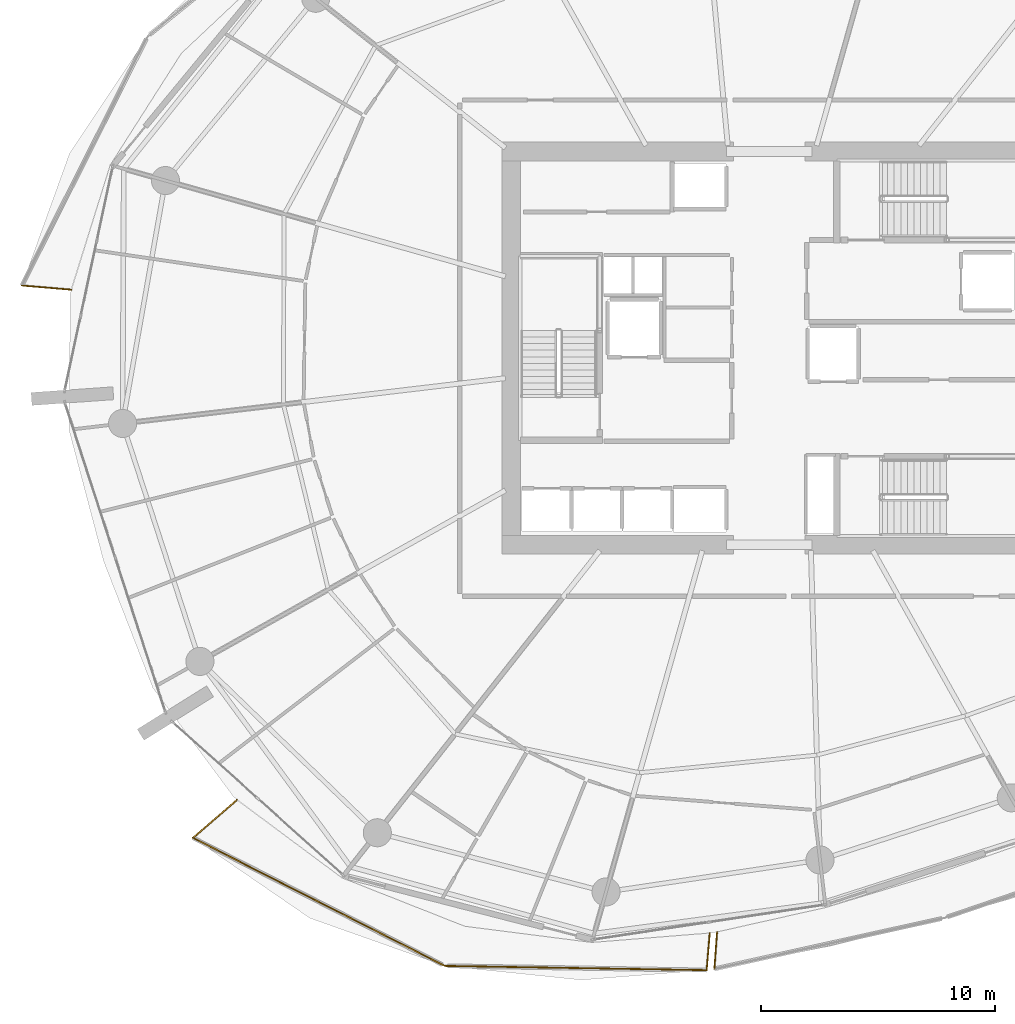
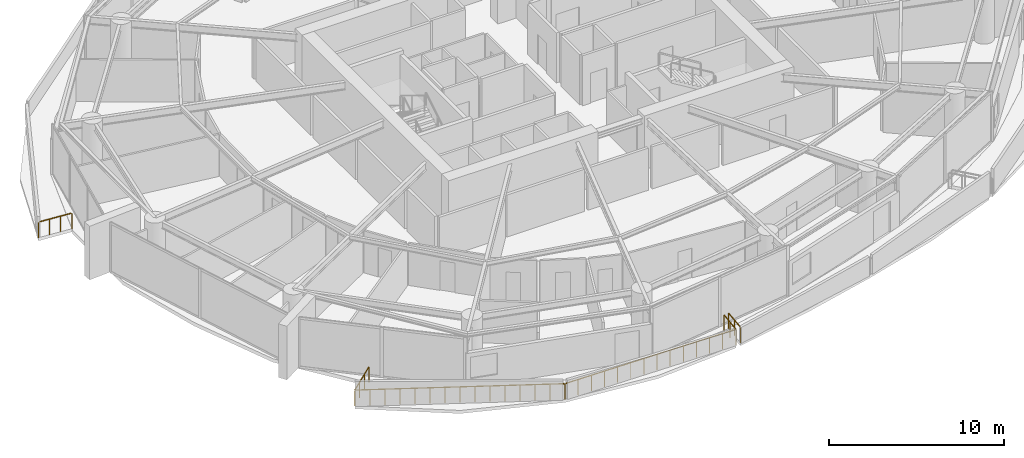
# One storey, part 16 of 22: 6 railings.
"""IFC4 building model written with IfcOpenShell, lengths in metres."""

from ifc_helpers import new_model, si_unit, direction, frame, origin, origin_2d, place, context, subcontext, project, spatial, rectangle, extrude, material, type_object, element, save


model = new_model("IFC4")

# Units and contexts
model_context = context("Model", 3, precision=1e-05, world=origin(), true_north=direction((0.0, 1.0)))
body_context = subcontext(model_context, "Body", "Model", "MODEL_VIEW")
ifc_project = project(units=[si_unit("LENGTHUNIT", "METRE"), si_unit("AREAUNIT", "SQUARE_METRE"), si_unit("VOLUMEUNIT", "CUBIC_METRE"), si_unit("PLANEANGLEUNIT", "RADIAN"), si_unit("MASSUNIT", "GRAM", prefix="KILO")], contexts=[model_context])

# Site, building, storey
site_placement = place(None, origin())
site = spatial("IfcSite", under=ifc_project, at=site_placement, CompositionType="ELEMENT")
building_placement = place(site_placement, origin())
building = spatial("IfcBuilding", under=site, at=building_placement, Name="Kazma Halo Residences", CompositionType="ELEMENT")
storey_placement = place(building_placement, frame((0.0, 0.0, 93.89990234375)))
storey = spatial("IfcBuildingStorey", under=building, at=storey_placement, Name="L23", CompositionType="ELEMENT", Elevation=93.89990234375)

# Railings
ifc_material = material(Name="Aluminium AW-6063 T6 Brushed Cap Rail", Category="aluminium")
railing_type = type_object("IfcRailingType", Name="RLG-BAL-CAP-1120", PredefinedType="BALUSTRADE", material=ifc_material)
railing_1_placement = place(storey_placement, frame((16.490234375, 44.673583984375, 0.0)))
element("IfcRailing", 1, at=railing_1_placement, inside=storey, type_object=railing_type, Name="L23 NW wave balcony guard 4", PredefinedType="BALUSTRADE", context=body_context, shape_type="SweptSolid", body=[
    extrude(rectangle(XDim=0.050048828125, YDim=0.050048828125, at=origin_2d()), frame((0.04248046875, -0.003662109375, 1.09521484375), z_axis=(0.996418565271, -0.084557925611, 0.0), x_axis=(0.084557925611, 0.996418565271, 0.0)), (0.0, 0.0, 1.0), 2.025390625),
    extrude(rectangle(XDim=0.0400390625, YDim=0.0400390625, at=origin_2d()), origin(), (0.0, 0.0, 1.0), 1.05810546875),
    extrude(rectangle(XDim=0.0400390625, YDim=0.0400390625, at=origin_2d()), frame((0.700927734375, -0.0595703125, 0.0)), (0.0, 0.0, 1.0), 1.05810546875),
    extrude(rectangle(XDim=0.0400390625, YDim=0.0400390625, at=origin_2d()), frame((1.402099609375, -0.118896484375, 0.0)), (0.0, 0.0, 1.0), 1.05810546875),
    extrude(rectangle(XDim=0.0400390625, YDim=0.0400390625, at=origin_2d()), frame((2.10302734375, -0.178466796875, 0.0)), (0.0, 0.0, 1.0), 1.05810546875),
])
railing_2_placement = place(storey_placement, frame((25.676025390625, 22.696533203125, 0.0)))
element("IfcRailing", 2, at=railing_2_placement, inside=storey, type_object=railing_type, Name="L23 SW wave balcony guard 1", PredefinedType="BALUSTRADE", context=body_context, shape_type="SweptSolid", body=[
    extrude(rectangle(XDim=0.050048828125, YDim=0.050048828125, at=origin_2d()), frame((-0.0322265625, -0.02783203125, 1.09521484375), z_axis=(-0.756422383747, -0.654083463609, 0.0), x_axis=(0.654083463609, -0.756422383747, 0.0)), (0.0, 0.0, 1.0), 2.39599609375),
    extrude(rectangle(XDim=0.0400390625, YDim=0.0400390625, at=origin_2d()), origin(), (0.0, 0.0, 1.0), 1.05810546875),
    extrude(rectangle(XDim=0.0400390625, YDim=0.0400390625, at=origin_2d()), frame((-0.62548828125, -0.541015625, 0.0)), (0.0, 0.0, 1.0), 1.05810546875),
    extrude(rectangle(XDim=0.0400390625, YDim=0.0400390625, at=origin_2d()), frame((-1.251220703125, -1.081787109375, 0.0)), (0.0, 0.0, 1.0), 1.05810546875),
    extrude(rectangle(XDim=0.0400390625, YDim=0.0400390625, at=origin_2d()), frame((-1.876708984375, -1.622802734375, 0.0)), (0.0, 0.0, 1.0), 1.05810546875),
])
railing_3_placement = place(storey_placement, frame((23.79931640625, 21.07373046875, 0.0)))
element("IfcRailing", 3, at=railing_3_placement, inside=storey, type_object=railing_type, Name="L23 SW wave balcony guard 2", PredefinedType="BALUSTRADE", context=body_context, shape_type="SweptSolid", body=[
    extrude(rectangle(XDim=0.050048828125, YDim=0.050048828125, at=origin_2d()), frame((0.037841796875, -0.019287109375, 1.09521484375), z_axis=(0.891325526743, -0.45336387745, 0.0), x_axis=(0.45336387745, 0.891325526743, 0.0)), (0.0, 0.0, 1.0), 11.9775390625),
    extrude(rectangle(XDim=0.0400390625, YDim=0.0400390625, at=origin_2d()), origin(), (0.0, 0.0, 1.0), 1.05810546875),
    extrude(rectangle(XDim=0.0400390625, YDim=0.0400390625, at=origin_2d()), frame((0.76806640625, -0.390625, 0.0)), (0.0, 0.0, 1.0), 1.05810546875),
    extrude(rectangle(XDim=0.0400390625, YDim=0.0400390625, at=origin_2d()), frame((1.535888671875, -0.78125, 0.0)), (0.0, 0.0, 1.0), 1.05810546875),
    extrude(rectangle(XDim=0.0400390625, YDim=0.0400390625, at=origin_2d()), frame((2.303955078125, -1.171875, 0.0)), (0.0, 0.0, 1.0), 1.05810546875),
    extrude(rectangle(XDim=0.0400390625, YDim=0.0400390625, at=origin_2d()), frame((3.072021484375, -1.5625, 0.0)), (0.0, 0.0, 1.0), 1.05810546875),
    extrude(rectangle(XDim=0.0400390625, YDim=0.0400390625, at=origin_2d()), frame((3.83984375, -1.953125, 0.0)), (0.0, 0.0, 1.0), 1.05810546875),
    extrude(rectangle(XDim=0.0400390625, YDim=0.0400390625, at=origin_2d()), frame((4.60791015625, -2.34375, 0.0)), (0.0, 0.0, 1.0), 1.05810546875),
    extrude(rectangle(XDim=0.0400390625, YDim=0.0400390625, at=origin_2d()), frame((5.3759765625, -2.734375, 0.0)), (0.0, 0.0, 1.0), 1.05810546875),
    extrude(rectangle(XDim=0.0400390625, YDim=0.0400390625, at=origin_2d()), frame((6.143798828125, -3.125, 0.0)), (0.0, 0.0, 1.0), 1.05810546875),
    extrude(rectangle(XDim=0.0400390625, YDim=0.0400390625, at=origin_2d()), frame((6.911865234375, -3.515625, 0.0)), (0.0, 0.0, 1.0), 1.05810546875),
    extrude(rectangle(XDim=0.0400390625, YDim=0.0400390625, at=origin_2d()), frame((7.6796875, -3.90625, 0.0)), (0.0, 0.0, 1.0), 1.05810546875),
    extrude(rectangle(XDim=0.0400390625, YDim=0.0400390625, at=origin_2d()), frame((8.44775390625, -4.296875, 0.0)), (0.0, 0.0, 1.0), 1.05810546875),
    extrude(rectangle(XDim=0.0400390625, YDim=0.0400390625, at=origin_2d()), frame((9.2158203125, -4.6875, 0.0)), (0.0, 0.0, 1.0), 1.05810546875),
    extrude(rectangle(XDim=0.0400390625, YDim=0.0400390625, at=origin_2d()), frame((9.983642578125, -5.078125, 0.0)), (0.0, 0.0, 1.0), 1.05810546875),
    extrude(rectangle(XDim=0.0400390625, YDim=0.0400390625, at=origin_2d()), frame((10.751708984375, -5.46875, 0.0)), (0.0, 0.0, 1.0), 1.05810546875),
])
railing_4_placement = place(storey_placement, frame((34.551025390625, 15.60498046875, 0.0)))
element("IfcRailing", 4, at=railing_4_placement, inside=storey, type_object=railing_type, Name="L23 SW wave balcony guard 3", PredefinedType="BALUSTRADE", context=body_context, shape_type="SweptSolid", body=[
    extrude(rectangle(XDim=0.050048828125, YDim=0.050048828125, at=origin_2d()), frame((0.04248046875, -0.000732421875, 1.09521484375), z_axis=(0.999868371043, -0.016224690688, 0.0), x_axis=(0.016224690688, 0.999868371043, 0.0)), (0.0, 0.0, 1.0), 11.1103515625),
    extrude(rectangle(XDim=0.0400390625, YDim=0.0400390625, at=origin_2d()), origin(), (0.0, 0.0, 1.0), 1.05810546875),
    extrude(rectangle(XDim=0.0400390625, YDim=0.0400390625, at=origin_2d()), frame((0.861083984375, -0.013916015625, 0.0)), (0.0, 0.0, 1.0), 1.05810546875),
    extrude(rectangle(XDim=0.0400390625, YDim=0.0400390625, at=origin_2d()), frame((1.72216796875, -0.02783203125, 0.0)), (0.0, 0.0, 1.0), 1.05810546875),
    extrude(rectangle(XDim=0.0400390625, YDim=0.0400390625, at=origin_2d()), frame((2.583251953125, -0.0419921875, 0.0)), (0.0, 0.0, 1.0), 1.05810546875),
    extrude(rectangle(XDim=0.0400390625, YDim=0.0400390625, at=origin_2d()), frame((3.4443359375, -0.055908203125, 0.0)), (0.0, 0.0, 1.0), 1.05810546875),
    extrude(rectangle(XDim=0.0400390625, YDim=0.0400390625, at=origin_2d()), frame((4.305419921875, -0.06982421875, 0.0)), (0.0, 0.0, 1.0), 1.05810546875),
    extrude(rectangle(XDim=0.0400390625, YDim=0.0400390625, at=origin_2d()), frame((5.16650390625, -0.083740234375, 0.0)), (0.0, 0.0, 1.0), 1.05810546875),
    extrude(rectangle(XDim=0.0400390625, YDim=0.0400390625, at=origin_2d()), frame((6.02734375, -0.097900390625, 0.0)), (0.0, 0.0, 1.0), 1.05810546875),
    extrude(rectangle(XDim=0.0400390625, YDim=0.0400390625, at=origin_2d()), frame((6.888427734375, -0.11181640625, 0.0)), (0.0, 0.0, 1.0), 1.05810546875),
    extrude(rectangle(XDim=0.0400390625, YDim=0.0400390625, at=origin_2d()), frame((7.74951171875, -0.125732421875, 0.0)), (0.0, 0.0, 1.0), 1.05810546875),
    extrude(rectangle(XDim=0.0400390625, YDim=0.0400390625, at=origin_2d()), frame((8.610595703125, -0.1396484375, 0.0)), (0.0, 0.0, 1.0), 1.05810546875),
    extrude(rectangle(XDim=0.0400390625, YDim=0.0400390625, at=origin_2d()), frame((9.4716796875, -0.15380859375, 0.0)), (0.0, 0.0, 1.0), 1.05810546875),
    extrude(rectangle(XDim=0.0400390625, YDim=0.0400390625, at=origin_2d()), frame((10.332763671875, -0.167724609375, 0.0)), (0.0, 0.0, 1.0), 1.05810546875),
    extrude(rectangle(XDim=0.0400390625, YDim=0.0400390625, at=origin_2d()), frame((11.19384765625, -0.181640625, 0.0)), (0.0, 0.0, 1.0), 1.05810546875),
])
railing_5_placement = place(storey_placement, frame((45.744873046875, 15.42333984375, 0.0)))
element("IfcRailing", 5, at=railing_5_placement, inside=storey, type_object=railing_type, Name="L23 SW wave balcony guard 4", PredefinedType="BALUSTRADE", context=body_context, shape_type="SweptSolid", body=[
    extrude(rectangle(XDim=0.050048828125, YDim=0.050048828125, at=origin_2d()), frame((0.003662109375, 0.04248046875, 1.09521484375), z_axis=(0.084608455239, 0.996414275943, 0.0), x_axis=(-0.996414275943, 0.084608455239, 0.0)), (0.0, 0.0, 1.0), 1.5048828125),
    extrude(rectangle(XDim=0.0400390625, YDim=0.0400390625, at=origin_2d()), origin(), (0.0, 0.0, 1.0), 1.05810546875),
    extrude(rectangle(XDim=0.0400390625, YDim=0.0400390625, at=origin_2d()), frame((0.0673828125, 0.7919921875, 0.0)), (0.0, 0.0, 1.0), 1.05810546875),
    extrude(rectangle(XDim=0.0400390625, YDim=0.0400390625, at=origin_2d()), frame((0.134521484375, 1.584228515625, 0.0)), (0.0, 0.0, 1.0), 1.05810546875),
])
railing_6_placement = place(storey_placement, frame((46.18994140625, 17.05419921875, 0.0)))
element("IfcRailing", 6, at=railing_6_placement, inside=storey, type_object=railing_type, Name="L23 SSE wave balcony guard 1", PredefinedType="BALUSTRADE", context=body_context, shape_type="SweptSolid", body=[
    extrude(rectangle(XDim=0.050048828125, YDim=0.050048828125, at=origin_2d()), frame((-0.003173828125, -0.04248046875, 1.09521484375), z_axis=(-0.072385279511, -0.997376744921, 0.0), x_axis=(0.997376744921, -0.072385279511, 0.0)), (0.0, 0.0, 1.0), 1.500244140625),
    extrude(rectangle(XDim=0.0400390625, YDim=0.0400390625, at=origin_2d()), origin(), (0.0, 0.0, 1.0), 1.05810546875),
    extrude(rectangle(XDim=0.0400390625, YDim=0.0400390625, at=origin_2d()), frame((-0.057373046875, -0.79052734375, 0.0)), (0.0, 0.0, 1.0), 1.05810546875),
    extrude(rectangle(XDim=0.0400390625, YDim=0.0400390625, at=origin_2d()), frame((-0.11474609375, -1.5810546875, 0.0)), (0.0, 0.0, 1.0), 1.05810546875),
])

save(model, "model.ifc")
